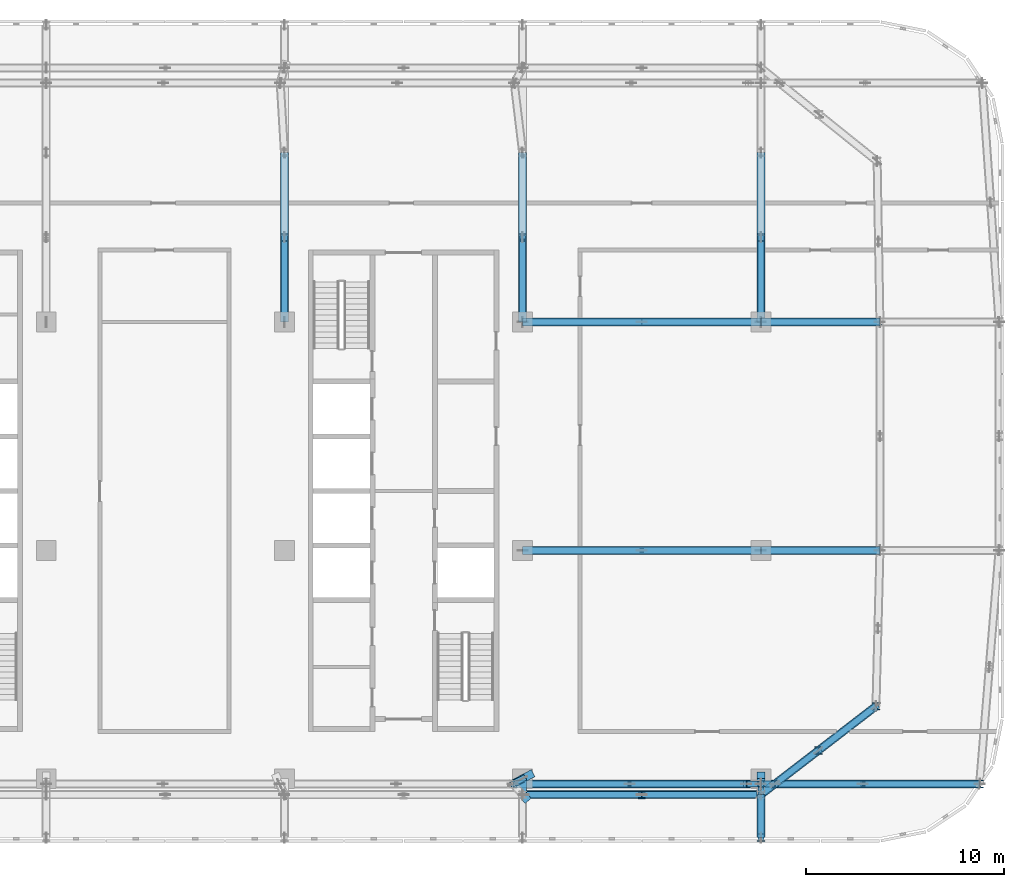
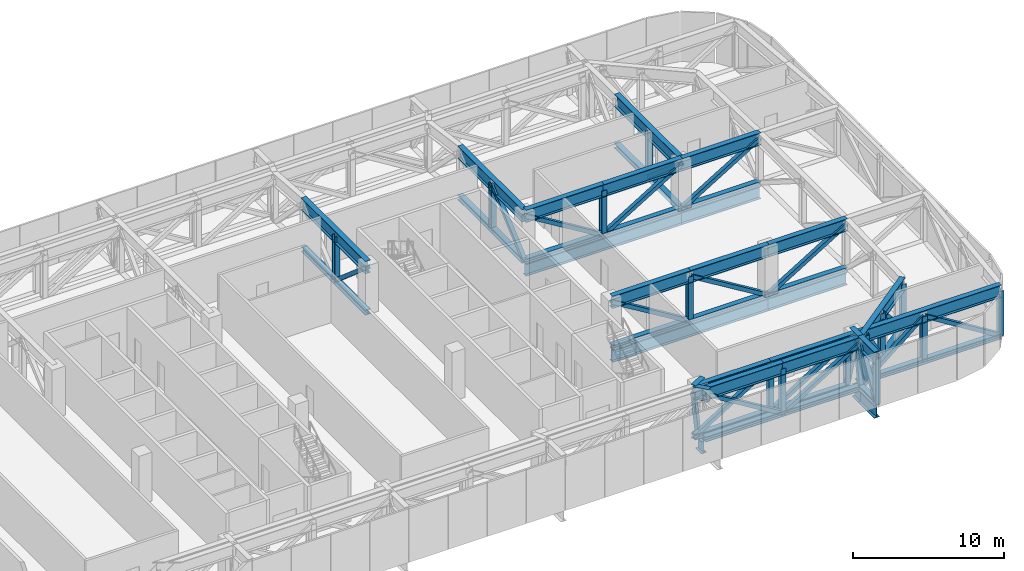
# One storey, part 9 of 29: 69 members, 7 beams.
"""IFC4 building model written with IfcOpenShell, lengths in metres."""

from ifc_helpers import new_model, si_unit, direction, frame, origin, origin_2d, place, context, subcontext, project, spatial, hollow_rectangle, i_section, extrude, material, material_profile, profile_set, type_object, element, save


model = new_model("IFC4")

# Units and contexts
model_context = context("Model", 3, precision=1e-05, world=origin(), true_north=direction((0.0, 1.0)))
body_context = subcontext(model_context, "Body", "Model", "MODEL_VIEW")
ifc_project = project(units=[si_unit("LENGTHUNIT", "METRE"), si_unit("AREAUNIT", "SQUARE_METRE"), si_unit("VOLUMEUNIT", "CUBIC_METRE"), si_unit("PLANEANGLEUNIT", "RADIAN"), si_unit("MASSUNIT", "GRAM", prefix="KILO")], contexts=[model_context])

# Site, building, storey
site_placement = place(None, origin())
site = spatial("IfcSite", under=ifc_project, at=site_placement, CompositionType="ELEMENT")
building_placement = place(site_placement, origin())
building = spatial("IfcBuilding", under=site, at=building_placement, Name="Mahtab Terrace Research Tower", CompositionType="ELEMENT")
storey_placement = place(building_placement, frame((0.0, 0.0, 259.0)))
storey = spatial("IfcBuildingStorey", under=building, at=storey_placement, Name="L63", CompositionType="ELEMENT", Elevation=259.0)

# Members
ifc_material_1 = material(Name="Steel ASTM A500 Gr C", Category="steel")
ifc_material_profile_1 = material_profile(ifc_material_1, hollow_rectangle(XDim=0.3046875, YDim=0.3046875, WallThickness=0.0126953125, at=origin_2d()), Name="HSS12X12X1/2")
ifc_profile_set_1 = profile_set([ifc_material_profile_1], Name="Steel ASTM A500 Gr C")
member_type_1 = type_object("IfcMemberType", Name="HSS 12x12x1/2 brace TD121212", PredefinedType="BRACE", material=ifc_profile_set_1)
member_1_placement = place(storey_placement, frame((18.0, 15.76904296875, -0.19677734375), z_axis=(0.0, -0.759492630748, 0.650515905908), x_axis=(1.0, 0.0, 0.0)))
element("IfcMember", 1, at=member_1_placement, inside=storey, type_object=member_type_1, Name="Transfer truss T7 diagonal 096", PredefinedType="BRACE", context=body_context, shape_type="SweptSolid", body=[
    extrude(hollow_rectangle(XDim=0.3046875, YDim=0.3046875, WallThickness=0.0126953125, at=origin_2d()), origin(), (0.0, 0.0, 1.0), 5.620849609375),
])
member_2_placement = place(storey_placement, frame((36.0, -12.306884765625, -0.19677734375), z_axis=(-0.853925355754, 0.0, 0.520395509974), x_axis=(0.0, -1.0, 0.0)))
element("IfcMember", 2, at=member_2_placement, inside=storey, type_object=member_type_1, Name="Transfer truss T7 diagonal 108", PredefinedType="BRACE", context=body_context, shape_type="SweptSolid", body=[
    extrude(hollow_rectangle(XDim=0.3046875, YDim=0.3046875, WallThickness=0.0126953125, at=origin_2d()), origin(), (0.0, 0.0, 1.0), 7.0263671875),
])
member_3_placement = place(storey_placement, frame((30.0, -11.5, -0.19677734375), z_axis=(-0.132494492799, -0.06977911255, 0.988724473668), x_axis=(0.465982622152, -0.884793871957, 0.0)))
element("IfcMember", 3, at=member_3_placement, inside=storey, type_object=member_type_1, Name="Transfer truss T7 diagonal 110", PredefinedType="BRACE", context=body_context, shape_type="SweptSolid", body=[
    extrude(hollow_rectangle(XDim=0.3046875, YDim=0.3046875, WallThickness=0.0126953125, at=origin_2d()), origin(), (0.0, 0.0, 1.0), 3.6982421875),
])
member_4_placement = place(storey_placement, frame((29.510009765625, -11.758056640625, -0.19677734375), z_axis=(0.849113901535, 0.0, 0.528209789969), x_axis=(0.0, 1.0, 0.0)))
element("IfcMember", 4, at=member_4_placement, inside=storey, type_object=member_type_1, Name="Transfer truss T7 diagonal 111", PredefinedType="BRACE", context=body_context, shape_type="SweptSolid", body=[
    extrude(hollow_rectangle(XDim=0.3046875, YDim=0.3046875, WallThickness=0.0126953125, at=origin_2d()), origin(), (0.0, 0.0, 1.0), 6.92236328125),
])
member_5_placement = place(storey_placement, frame((36.0, 0.0, -0.19677734375), z_axis=(-0.853925355754, 0.0, 0.520395509974), x_axis=(0.0, -1.0, 0.0)))
element("IfcMember", 5, at=member_5_placement, inside=storey, type_object=member_type_1, Name="Transfer truss T7 diagonal 112", PredefinedType="BRACE", context=body_context, shape_type="SweptSolid", body=[
    extrude(hollow_rectangle(XDim=0.3046875, YDim=0.3046875, WallThickness=0.0126953125, at=origin_2d()), origin(), (0.0, 0.0, 1.0), 7.0263671875),
])
member_6_placement = place(storey_placement, frame((30.0, 11.5, -0.19677734375), z_axis=(0.0, 0.759492630748, 0.650515905908), x_axis=(-1.0, 0.0, 0.0)))
element("IfcMember", 6, at=member_6_placement, inside=storey, type_object=member_type_1, Name="Transfer truss T7 diagonal 113", PredefinedType="BRACE", context=body_context, shape_type="SweptSolid", body=[
    extrude(hollow_rectangle(XDim=0.3046875, YDim=0.3046875, WallThickness=0.0126953125, at=origin_2d()), origin(), (0.0, 0.0, 1.0), 5.620849609375),
])
member_7_placement = place(storey_placement, frame((36.0, 11.5, -0.19677734375), z_axis=(-0.853925355754, 0.0, 0.520395509974), x_axis=(0.0, -1.0, 0.0)))
element("IfcMember", 7, at=member_7_placement, inside=storey, type_object=member_type_1, Name="Transfer truss T7 diagonal 114", PredefinedType="BRACE", context=body_context, shape_type="SweptSolid", body=[
    extrude(hollow_rectangle(XDim=0.3046875, YDim=0.3046875, WallThickness=0.0126953125, at=origin_2d()), origin(), (0.0, 0.0, 1.0), 7.0263671875),
])
member_8_placement = place(storey_placement, frame((35.387939453125, -11.758056640625, -0.19677734375), z_axis=(0.84912374108, 0.0, 0.528193972262), x_axis=(0.0, 1.0, 0.0)))
element("IfcMember", 8, at=member_8_placement, inside=storey, type_object=member_type_1, Name="Transfer truss T7 diagonal 121", PredefinedType="BRACE", context=body_context, shape_type="SweptSolid", body=[
    extrude(hollow_rectangle(XDim=0.3046875, YDim=0.3046875, WallThickness=0.0126953125, at=origin_2d()), origin(), (0.0, 0.0, 1.0), 6.922607421875),
])
for number, where, z_axis, x_axis, name in (
    (9, (36.0, -12.306884765625, -0.19677734375), (0.853925355754, 0.0, 0.520395509974), (0.0, 1.0, 0.0), "Transfer truss T7 diagonal 123"),
    (10, (42.0, 0.0, -0.19677734375), (-0.853925355754, 0.0, 0.520395509974), (0.0, -1.0, 0.0), "Transfer truss T7 diagonal 124"),
    (11, (36.0, 11.5, -0.19677734375), (0.853925355754, 0.0, 0.520395509974), (0.0, 1.0, 0.0), "Transfer truss T7 diagonal 125"),
):
    element("IfcMember", number, at=place(storey_placement, frame(where, z_axis=z_axis, x_axis=x_axis)), inside=storey, type_object=member_type_1, Name=name, PredefinedType="BRACE", context=body_context, shape_type="SweptSolid", body=[
        extrude(hollow_rectangle(XDim=0.3046875, YDim=0.3046875, WallThickness=0.0126953125, at=origin_2d()), origin(), (0.0, 0.0, 1.0), 7.0263671875),
    ])
member_9_placement = place(storey_placement, frame((41.26611328125, -11.758056640625, -0.19677734375), z_axis=(0.196783313984, 0.0, 0.980447003839), x_axis=(0.0, 1.0, 0.0)))
element("IfcMember", 12, at=member_9_placement, inside=storey, type_object=member_type_1, Name="Transfer truss T7 diagonal 127", PredefinedType="BRACE", context=body_context, shape_type="SweptSolid", body=[
    extrude(hollow_rectangle(XDim=0.3046875, YDim=0.3046875, WallThickness=0.0126953125, at=origin_2d()), origin(), (0.0, 0.0, 1.0), 3.7294921875),
])
member_10_placement = place(storey_placement, frame((42.0, -14.472900390625, -0.19677734375), z_axis=(0.0, 0.50966381265, 0.860373638645), x_axis=(-1.0, 0.0, 0.0)))
element("IfcMember", 13, at=member_10_placement, inside=storey, type_object=member_type_1, Name="Transfer truss T7 diagonal 129", PredefinedType="BRACE", context=body_context, shape_type="SweptSolid", body=[
    extrude(hollow_rectangle(XDim=0.3046875, YDim=0.3046875, WallThickness=0.0126953125, at=origin_2d()), origin(), (0.0, 0.0, 1.0), 4.25),
])
member_11_placement = place(storey_placement, frame((42.714111328125, -11.758056640625, -0.19677734375), z_axis=(-0.189631598946, -0.145740798096, 0.970978617917), x_axis=(0.60937010094, -0.792885918705, 0.0)))
element("IfcMember", 14, at=member_11_placement, inside=storey, type_object=member_type_1, Name="Transfer truss T7 diagonal 130", PredefinedType="BRACE", context=body_context, shape_type="SweptSolid", body=[
    extrude(hollow_rectangle(XDim=0.3046875, YDim=0.3046875, WallThickness=0.0126953125, at=origin_2d()), origin(), (0.0, 0.0, 1.0), 3.765869140625),
])
member_12_placement = place(storey_placement, frame((42.0, -12.306884765625, -0.19677734375), z_axis=(0.0, 0.148434088087, 0.988922303062), x_axis=(-1.0, 0.0, 0.0)))
element("IfcMember", 15, at=member_12_placement, inside=storey, type_object=member_type_1, Name="Transfer truss T7 diagonal 131", PredefinedType="BRACE", context=body_context, shape_type="SweptSolid", body=[
    extrude(hollow_rectangle(XDim=0.3046875, YDim=0.3046875, WallThickness=0.0126953125, at=origin_2d()), origin(), (0.0, 0.0, 1.0), 3.697509765625),
])
member_13_placement = place(storey_placement, frame((42.714111328125, -11.758056640625, -0.19677734375), z_axis=(-0.191678183584, 0.0, 0.981457830952), x_axis=(0.0, -1.0, 0.0)))
element("IfcMember", 16, at=member_13_placement, inside=storey, type_object=member_type_1, Name="Transfer truss T7 diagonal 132", PredefinedType="BRACE", context=body_context, shape_type="SweptSolid", body=[
    extrude(hollow_rectangle(XDim=0.3046875, YDim=0.3046875, WallThickness=0.0126953125, at=origin_2d()), origin(), (0.0, 0.0, 1.0), 3.7255859375),
])
member_14_placement = place(storey_placement, frame((42.0, 0.0, -0.19677734375), z_axis=(0.853925355754, 0.0, 0.520395509974), x_axis=(0.0, 1.0, 0.0)))
element("IfcMember", 17, at=member_14_placement, inside=storey, type_object=member_type_1, Name="Transfer truss T7 diagonal 133", PredefinedType="BRACE", context=body_context, shape_type="SweptSolid", body=[
    extrude(hollow_rectangle(XDim=0.3046875, YDim=0.3046875, WallThickness=0.0126953125, at=origin_2d()), origin(), (0.0, 0.0, 1.0), 7.0263671875),
])
member_15_placement = place(storey_placement, frame((42.0, 15.76904296875, -0.19677734375), z_axis=(0.0, -0.759492630748, 0.650515905908), x_axis=(1.0, 0.0, 0.0)))
element("IfcMember", 18, at=member_15_placement, inside=storey, type_object=member_type_1, Name="Transfer truss T7 diagonal 134", PredefinedType="BRACE", context=body_context, shape_type="SweptSolid", body=[
    extrude(hollow_rectangle(XDim=0.3046875, YDim=0.3046875, WallThickness=0.0126953125, at=origin_2d()), origin(), (0.0, 0.0, 1.0), 5.620849609375),
])
member_16_placement = place(storey_placement, frame((42.0, 11.5, -0.19677734375), z_axis=(0.853925355754, 0.0, 0.520395509974), x_axis=(0.0, 1.0, 0.0)))
element("IfcMember", 19, at=member_16_placement, inside=storey, type_object=member_type_1, Name="Transfer truss T7 diagonal 135", PredefinedType="BRACE", context=body_context, shape_type="SweptSolid", body=[
    extrude(hollow_rectangle(XDim=0.3046875, YDim=0.3046875, WallThickness=0.0126953125, at=origin_2d()), origin(), (0.0, 0.0, 1.0), 7.0263671875),
])
member_17_placement = place(storey_placement, frame((44.89892578125, -10.077880859375, -0.19677734375), z_axis=(-0.477147991878, -0.366938482524, 0.798552405225), x_axis=(0.609608016023, -0.792703012988, 0.0)))
element("IfcMember", 20, at=member_17_placement, inside=storey, type_object=member_type_1, Name="Transfer truss T7 diagonal 142", PredefinedType="BRACE", context=body_context, shape_type="SweptSolid", body=[
    extrude(hollow_rectangle(XDim=0.3046875, YDim=0.3046875, WallThickness=0.0126953125, at=origin_2d()), origin(), (0.0, 0.0, 1.0), 4.578857421875),
])
member_18_placement = place(storey_placement, frame((42.714111328125, -11.758056640625, -0.19677734375), z_axis=(0.771150475536, 0.0, 0.636652922777), x_axis=(0.0, 1.0, 0.0)))
element("IfcMember", 21, at=member_18_placement, inside=storey, type_object=member_type_1, Name="Transfer truss T7 diagonal 143", PredefinedType="BRACE", context=body_context, shape_type="SweptSolid", body=[
    extrude(hollow_rectangle(XDim=0.3046875, YDim=0.3046875, WallThickness=0.0126953125, at=origin_2d()), origin(), (0.0, 0.0, 1.0), 5.743408203125),
])
member_19_placement = place(storey_placement, frame((47.798095703125, -7.847900390625, -0.19677734375), z_axis=(-0.560568165841, -0.43117723173, 0.707000372194), x_axis=(0.609684954239, -0.792643839675, 0.0)))
element("IfcMember", 22, at=member_19_placement, inside=storey, type_object=member_type_1, Name="Transfer truss T7 diagonal 146", PredefinedType="BRACE", context=body_context, shape_type="SweptSolid", body=[
    extrude(hollow_rectangle(XDim=0.3046875, YDim=0.3046875, WallThickness=0.0126953125, at=origin_2d()), origin(), (0.0, 0.0, 1.0), 5.171875),
])
member_20_placement = place(storey_placement, frame((53.02099609375, -11.758056640625, -0.19677734375), z_axis=(-0.849113901535, 0.0, 0.528209789969), x_axis=(0.0, -1.0, 0.0)))
element("IfcMember", 23, at=member_20_placement, inside=storey, type_object=member_type_1, Name="Transfer truss T7 diagonal 148", PredefinedType="BRACE", context=body_context, shape_type="SweptSolid", body=[
    extrude(hollow_rectangle(XDim=0.3046875, YDim=0.3046875, WallThickness=0.0126953125, at=origin_2d()), origin(), (0.0, 0.0, 1.0), 6.92236328125),
])
ifc_material_2 = material(Name="Steel ASTM A992 Gr 50", Category="steel")
ifc_material_profile_2 = material_profile(ifc_material_2, i_section(OverallWidth=0.373291015625, OverallDepth=0.373291015625, WebThickness=0.016357421875, FlangeThickness=0.026123046875, at=origin_2d()), Name="W14X132")
ifc_profile_set_2 = profile_set([ifc_material_profile_2], Name="Steel ASTM A992 Gr 50")
member_type_2 = type_object("IfcMemberType", Name="W14x132 post TP14132", PredefinedType="POST", material=ifc_profile_set_2)
for number, where, z_axis, x_axis, name in (
    (24, (18.0, 15.77001953125, -0.19677734375), (0.0, 0.0, 1.0), (1.0, 0.0, 0.0), "Transfer truss T7 post 087"),
    (25, (30.0, 15.77001953125, -0.19677734375), (0.0, 0.0, 1.0), (1.0, 0.0, 0.0), "Transfer truss T7 post 102"),
    (26, (35.389892578125, -11.760009765625, -0.19677734375), (0.0, 0.0, 1.0), (1.0, 0.0, 0.0), "Transfer truss T7 post 106"),
    (27, (36.0, -12.31005859375, -0.19677734375), (0.0, 0.0, 1.0), (1.0, 0.0, 0.0), "Transfer truss T7 post 108"),
    (28, (36.0, 0.0, -0.19677734375), (0.0, 0.0, 1.0), (1.0, 0.0, 0.0), "Transfer truss T7 post 109"),
    (29, (36.0, 11.5, -0.19677734375), (0.0, 0.0, 1.0), (1.0, 0.0, 0.0), "Transfer truss T7 post 110"),
    (30, (41.27001953125, -11.760009765625, -0.19677734375), (0.0, 0.0, 1.0), (1.0, 0.0, 0.0), "Transfer truss T7 post 112"),
    (31, (42.0, -14.469970703125, -0.19677734375), (0.0, 0.0, 1.0), (1.0, 0.0, 0.0), "Transfer truss T7 post 114"),
    (32, (42.0, 15.77001953125, -0.19677734375), (0.0, 0.0, 1.0), (1.0, 0.0, 0.0), "Transfer truss T7 post 119"),
    (33, (42.7099609375, -11.760009765625, -0.19677734375), (0.0, 0.0, 1.0), (1.0, 0.0, 0.0), "Transfer truss T7 post 124"),
    (34, (44.89990234375, -10.080078125, -0.19677734375), (0.0, 0.0, 1.0), (1.0, 0.0, 0.0), "Transfer truss T7 post 126"),
    (35, (47.139892578125, -11.760009765625, -0.19677734375), (0.0, 0.0, 1.0), (1.0, 0.0, 0.0), "Transfer truss T7 post 128"),
    (36, (47.800048828125, -7.85009765625, -0.19677734375), (0.0, 0.0, 1.0), (1.0, 0.0, 0.0), "Transfer truss T7 post 130"),
    (37, (53.02001953125, -11.760009765625, -0.19677734375), (0.0, 0.0, 1.0), (1.0, 0.0, 0.0), "Transfer truss T7 post 137"),
):
    element("IfcMember", number, at=place(storey_placement, frame(where, z_axis=z_axis, x_axis=x_axis)), inside=storey, type_object=member_type_2, Name=name, PredefinedType="POST", context=body_context, shape_type="SweptSolid", body=[
        extrude(i_section(OverallWidth=0.373291015625, OverallDepth=0.373291015625, WebThickness=0.016357421875, FlangeThickness=0.026123046875, at=origin_2d()), origin(), (0.0, 0.0, 1.0), 3.656494140625),
    ])
ifc_material_profile_3 = material_profile(ifc_material_2, i_section(OverallWidth=0.40380859375, OverallDepth=0.406494140625, WebThickness=0.027099609375, FlangeThickness=0.043701171875, at=origin_2d()), Name="W14X233")
ifc_profile_set_3 = profile_set([ifc_material_profile_3], Name="Steel ASTM A992 Gr 50")
member_type_3 = type_object("IfcMemberType", Name="W14x233 chord TC14233", PredefinedType="CHORD", material=ifc_profile_set_3)
member_21_placement = place(storey_placement, frame((30.0, -12.306884765625, -0.19677734375), z_axis=(1.0, 0.0, 0.0), x_axis=(0.0, 1.0, 0.0)))
element("IfcMember", 38, at=member_21_placement, inside=storey, type_object=member_type_3, Name="Transfer truss T7 bottom chord 024", PredefinedType="CHORD", context=body_context, shape_type="SweptSolid", body=[
    extrude(i_section(OverallWidth=0.40380859375, OverallDepth=0.406494140625, WebThickness=0.027099609375, FlangeThickness=0.043701171875, at=origin_2d()), origin(), (0.0, 0.0, 1.0), 12.0),
])
member_22_placement = place(storey_placement, frame((29.510009765625, -11.758056640625, -0.19677734375), z_axis=(1.0, 0.0, 0.0), x_axis=(0.0, 1.0, 0.0)))
element("IfcMember", 39, at=member_22_placement, inside=storey, type_object=member_type_3, Name="Transfer truss T7 bottom chord 041", PredefinedType="CHORD", context=body_context, shape_type="SweptSolid", body=[
    extrude(i_section(OverallWidth=0.40380859375, OverallDepth=0.406494140625, WebThickness=0.027099609375, FlangeThickness=0.043701171875, at=origin_2d()), origin(), (0.0, 0.0, 1.0), 11.756103515625),
])
member_23_placement = place(storey_placement, frame((42.0, -11.758056640625, -0.19677734375), z_axis=(1.0, 0.0, 0.0), x_axis=(0.0, 1.0, 0.0)))
element("IfcMember", 40, at=member_23_placement, inside=storey, type_object=member_type_3, Name="Transfer truss T7 bottom chord 043", PredefinedType="CHORD", context=body_context, shape_type="SweptSolid", body=[
    extrude(i_section(OverallWidth=0.40380859375, OverallDepth=0.406494140625, WebThickness=0.027099609375, FlangeThickness=0.043701171875, at=origin_2d()), origin(), (0.0, 0.0, 1.0), 11.02099609375),
])
member_24_placement = place(storey_placement, frame((18.0, 11.5, -0.19677734375), z_axis=(0.0, 1.0, 0.0), x_axis=(-1.0, 0.0, 0.0)))
element("IfcMember", 41, at=member_24_placement, inside=storey, type_object=member_type_3, Name="Transfer truss T7 bottom chord 068", PredefinedType="CHORD", context=body_context, shape_type="SweptSolid", body=[
    extrude(i_section(OverallWidth=0.40380859375, OverallDepth=0.406494140625, WebThickness=0.027099609375, FlangeThickness=0.043701171875, at=origin_2d()), origin(), (0.0, 0.0, 1.0), 8.5380859375),
])
member_25_placement = place(storey_placement, frame((29.510009765625, -11.758056640625, -0.19677734375), z_axis=(0.884793871957, 0.465982622152, 0.0), x_axis=(-0.465982622152, 0.884793871957, 0.0)))
element("IfcMember", 42, at=member_25_placement, inside=storey, type_object=member_type_3, Name="Transfer truss T7 bottom chord 071", PredefinedType="CHORD", context=body_context, shape_type="SweptSolid", body=[
    extrude(i_section(OverallWidth=0.40380859375, OverallDepth=0.406494140625, WebThickness=0.027099609375, FlangeThickness=0.043701171875, at=origin_2d()), origin(), (0.0, 0.0, 1.0), 0.5537109375),
])
member_26_placement = place(storey_placement, frame((30.0, 0.0, -0.19677734375), z_axis=(1.0, 0.0, 0.0), x_axis=(0.0, 1.0, 0.0)))
element("IfcMember", 43, at=member_26_placement, inside=storey, type_object=member_type_3, Name="Transfer truss T7 bottom chord 075", PredefinedType="CHORD", context=body_context, shape_type="SweptSolid", body=[
    extrude(i_section(OverallWidth=0.40380859375, OverallDepth=0.406494140625, WebThickness=0.027099609375, FlangeThickness=0.043701171875, at=origin_2d()), origin(), (0.0, 0.0, 1.0), 12.0),
])
member_27_placement = place(storey_placement, frame((42.0, 0.0, -0.19677734375), z_axis=(1.0, 0.0, 0.0), x_axis=(0.0, 1.0, 0.0)))
element("IfcMember", 44, at=member_27_placement, inside=storey, type_object=member_type_3, Name="Transfer truss T7 bottom chord 076", PredefinedType="CHORD", context=body_context, shape_type="SweptSolid", body=[
    extrude(i_section(OverallWidth=0.40380859375, OverallDepth=0.406494140625, WebThickness=0.027099609375, FlangeThickness=0.043701171875, at=origin_2d()), origin(), (0.0, 0.0, 1.0), 6.0),
])
member_28_placement = place(storey_placement, frame((30.0, 11.5, -0.19677734375), z_axis=(0.0, 1.0, 0.0), x_axis=(-1.0, 0.0, 0.0)))
element("IfcMember", 45, at=member_28_placement, inside=storey, type_object=member_type_3, Name="Transfer truss T7 bottom chord 078", PredefinedType="CHORD", context=body_context, shape_type="SweptSolid", body=[
    extrude(i_section(OverallWidth=0.40380859375, OverallDepth=0.406494140625, WebThickness=0.027099609375, FlangeThickness=0.043701171875, at=origin_2d()), origin(), (0.0, 0.0, 1.0), 8.5380859375),
])
member_29_placement = place(storey_placement, frame((30.0, 11.5, -0.19677734375), z_axis=(1.0, 0.0, 0.0), x_axis=(0.0, 1.0, 0.0)))
element("IfcMember", 46, at=member_29_placement, inside=storey, type_object=member_type_3, Name="Transfer truss T7 bottom chord 079", PredefinedType="CHORD", context=body_context, shape_type="SweptSolid", body=[
    extrude(i_section(OverallWidth=0.40380859375, OverallDepth=0.406494140625, WebThickness=0.027099609375, FlangeThickness=0.043701171875, at=origin_2d()), origin(), (0.0, 0.0, 1.0), 12.0),
])
member_30_placement = place(storey_placement, frame((42.0, 11.5, -0.19677734375), z_axis=(1.0, 0.0, 0.0), x_axis=(0.0, 1.0, 0.0)))
element("IfcMember", 47, at=member_30_placement, inside=storey, type_object=member_type_3, Name="Transfer truss T7 bottom chord 080", PredefinedType="CHORD", context=body_context, shape_type="SweptSolid", body=[
    extrude(i_section(OverallWidth=0.40380859375, OverallDepth=0.406494140625, WebThickness=0.027099609375, FlangeThickness=0.043701171875, at=origin_2d()), origin(), (0.0, 0.0, 1.0), 6.0),
])
member_31_placement = place(storey_placement, frame((42.0, -14.472900390625, -0.19677734375), z_axis=(0.0, 1.0, 0.0), x_axis=(-1.0, 0.0, 0.0)))
element("IfcMember", 48, at=member_31_placement, inside=storey, type_object=member_type_3, Name="Transfer truss T7 bottom chord 083", PredefinedType="CHORD", context=body_context, shape_type="SweptSolid", body=[
    extrude(i_section(OverallWidth=0.40380859375, OverallDepth=0.406494140625, WebThickness=0.027099609375, FlangeThickness=0.043701171875, at=origin_2d()), origin(), (0.0, 0.0, 1.0), 2.166015625),
])
member_32_placement = place(storey_placement, frame((42.0, -12.306884765625, -0.19677734375), z_axis=(0.792695951184, 0.609617198721, 0.0), x_axis=(-0.609617198721, 0.792695951184, 0.0)))
element("IfcMember", 49, at=member_32_placement, inside=storey, type_object=member_type_3, Name="Transfer truss T7 bottom chord 085", PredefinedType="CHORD", context=body_context, shape_type="SweptSolid", body=[
    extrude(i_section(OverallWidth=0.40380859375, OverallDepth=0.406494140625, WebThickness=0.027099609375, FlangeThickness=0.043701171875, at=origin_2d()), origin(), (0.0, 0.0, 1.0), 7.314453125),
])
member_33_placement = place(storey_placement, frame((42.0, 11.5, -0.19677734375), z_axis=(0.0, 1.0, 0.0), x_axis=(-1.0, 0.0, 0.0)))
element("IfcMember", 50, at=member_33_placement, inside=storey, type_object=member_type_3, Name="Transfer truss T7 bottom chord 086", PredefinedType="CHORD", context=body_context, shape_type="SweptSolid", body=[
    extrude(i_section(OverallWidth=0.40380859375, OverallDepth=0.406494140625, WebThickness=0.027099609375, FlangeThickness=0.043701171875, at=origin_2d()), origin(), (0.0, 0.0, 1.0), 8.5380859375),
])
ifc_material_profile_4 = material_profile(ifc_material_2, i_section(OverallWidth=0.4013671875, OverallDepth=1.000732421875, WebThickness=0.01904296875, FlangeThickness=0.0361328125, at=origin_2d()), Name="W40X249")
ifc_profile_set_4 = profile_set([ifc_material_profile_4], Name="Steel ASTM A992 Gr 50")
member_type_4 = type_object("IfcMemberType", Name="W40x249 chord TT40249", PredefinedType="CHORD", material=ifc_profile_set_4)
for number, where, z_axis, x_axis, name in (
    (51, (30.0, -12.306884765625, 3.459716796875), (1.0, 0.0, 0.0), (0.0, 1.0, 0.0), "Transfer truss T7 top chord 038"),
    (52, (36.0, -12.306884765625, 3.459716796875), (1.0, 0.0, 0.0), (0.0, 1.0, 0.0), "Transfer truss T7 top chord 039"),
):
    element("IfcMember", number, at=place(storey_placement, frame(where, z_axis=z_axis, x_axis=x_axis)), inside=storey, type_object=member_type_4, Name=name, PredefinedType="CHORD", context=body_context, shape_type="SweptSolid", body=[
        extrude(i_section(OverallWidth=0.4013671875, OverallDepth=1.000732421875, WebThickness=0.01904296875, FlangeThickness=0.0361328125, at=origin_2d()), origin(), (0.0, 0.0, 1.0), 6.0),
    ])
member_34_placement = place(storey_placement, frame((29.510009765625, -11.758056640625, 3.459716796875), z_axis=(1.0, 0.0, 0.0), x_axis=(0.0, 1.0, 0.0)))
element("IfcMember", 53, at=member_34_placement, inside=storey, type_object=member_type_4, Name="Transfer truss T7 top chord 067", PredefinedType="CHORD", context=body_context, shape_type="SweptSolid", body=[
    extrude(i_section(OverallWidth=0.4013671875, OverallDepth=1.000732421875, WebThickness=0.01904296875, FlangeThickness=0.0361328125, at=origin_2d()), origin(), (0.0, 0.0, 1.0), 5.8779296875),
])
member_35_placement = place(storey_placement, frame((35.387939453125, -11.758056640625, 3.459716796875), z_axis=(1.0, 0.0, 0.0), x_axis=(0.0, 1.0, 0.0)))
element("IfcMember", 54, at=member_35_placement, inside=storey, type_object=member_type_4, Name="Transfer truss T7 top chord 068", PredefinedType="CHORD", context=body_context, shape_type="SweptSolid", body=[
    extrude(i_section(OverallWidth=0.4013671875, OverallDepth=1.000732421875, WebThickness=0.01904296875, FlangeThickness=0.0361328125, at=origin_2d()), origin(), (0.0, 0.0, 1.0), 6.612060546875),
])
member_36_placement = place(storey_placement, frame((42.0, -11.758056640625, 3.459716796875), z_axis=(1.0, 0.0, 0.0), x_axis=(0.0, 1.0, 0.0)))
element("IfcMember", 55, at=member_36_placement, inside=storey, type_object=member_type_4, Name="Transfer truss T7 top chord 069", PredefinedType="CHORD", context=body_context, shape_type="SweptSolid", body=[
    extrude(i_section(OverallWidth=0.4013671875, OverallDepth=1.000732421875, WebThickness=0.01904296875, FlangeThickness=0.0361328125, at=origin_2d()), origin(), (0.0, 0.0, 1.0), 11.02099609375),
])
member_37_placement = place(storey_placement, frame((18.0, 11.5, 3.459716796875), z_axis=(0.0, 1.0, 0.0), x_axis=(-1.0, 0.0, 0.0)))
element("IfcMember", 56, at=member_37_placement, inside=storey, type_object=member_type_4, Name="Transfer truss T7 top chord 094", PredefinedType="CHORD", context=body_context, shape_type="SweptSolid", body=[
    extrude(i_section(OverallWidth=0.4013671875, OverallDepth=1.000732421875, WebThickness=0.01904296875, FlangeThickness=0.0361328125, at=origin_2d()), origin(), (0.0, 0.0, 1.0), 8.5380859375),
])
for number, where, z_axis, x_axis, name in (
    (57, (30.2763671875, -12.61669921875, 3.459716796875), (-0.665876646095, 0.746061855469, 0.0), (-0.746061855469, -0.665876646095, 0.0), "Transfer truss T7 top chord 096"),
    (58, (29.510009765625, -11.758056640625, 3.459716796875), (0.884766330032, 0.466034914188, 0.0), (-0.466034914188, 0.884766330032, 0.0), "Transfer truss T7 top chord 097"),
):
    element("IfcMember", number, at=place(storey_placement, frame(where, z_axis=z_axis, x_axis=x_axis)), inside=storey, type_object=member_type_4, Name=name, PredefinedType="CHORD", context=body_context, shape_type="SweptSolid", body=[
        extrude(i_section(OverallWidth=0.4013671875, OverallDepth=1.000732421875, WebThickness=0.01904296875, FlangeThickness=0.0361328125, at=origin_2d()), origin(), (0.0, 0.0, 1.0), 1.15087890625),
    ])
for number, where, z_axis, x_axis, name in (
    (59, (30.0, 0.0, 3.459716796875), (1.0, 0.0, 0.0), (0.0, 1.0, 0.0), "Transfer truss T7 top chord 101"),
    (60, (36.0, 0.0, 3.459716796875), (1.0, 0.0, 0.0), (0.0, 1.0, 0.0), "Transfer truss T7 top chord 102"),
    (61, (42.0, 0.0, 3.459716796875), (1.0, 0.0, 0.0), (0.0, 1.0, 0.0), "Transfer truss T7 top chord 103"),
):
    element("IfcMember", number, at=place(storey_placement, frame(where, z_axis=z_axis, x_axis=x_axis)), inside=storey, type_object=member_type_4, Name=name, PredefinedType="CHORD", context=body_context, shape_type="SweptSolid", body=[
        extrude(i_section(OverallWidth=0.4013671875, OverallDepth=1.000732421875, WebThickness=0.01904296875, FlangeThickness=0.0361328125, at=origin_2d()), origin(), (0.0, 0.0, 1.0), 6.0),
    ])
member_38_placement = place(storey_placement, frame((30.0, 11.5, 3.459716796875), z_axis=(0.0, 1.0, 0.0), x_axis=(-1.0, 0.0, 0.0)))
element("IfcMember", 62, at=member_38_placement, inside=storey, type_object=member_type_4, Name="Transfer truss T7 top chord 105", PredefinedType="CHORD", context=body_context, shape_type="SweptSolid", body=[
    extrude(i_section(OverallWidth=0.4013671875, OverallDepth=1.000732421875, WebThickness=0.01904296875, FlangeThickness=0.0361328125, at=origin_2d()), origin(), (0.0, 0.0, 1.0), 8.5380859375),
])
for number, where, z_axis, x_axis, name in (
    (63, (30.0, 11.5, 3.459716796875), (1.0, 0.0, 0.0), (0.0, 1.0, 0.0), "Transfer truss T7 top chord 106"),
    (64, (36.0, 11.5, 3.459716796875), (1.0, 0.0, 0.0), (0.0, 1.0, 0.0), "Transfer truss T7 top chord 107"),
    (65, (42.0, 11.5, 3.459716796875), (1.0, 0.0, 0.0), (0.0, 1.0, 0.0), "Transfer truss T7 top chord 108"),
):
    element("IfcMember", number, at=place(storey_placement, frame(where, z_axis=z_axis, x_axis=x_axis)), inside=storey, type_object=member_type_4, Name=name, PredefinedType="CHORD", context=body_context, shape_type="SweptSolid", body=[
        extrude(i_section(OverallWidth=0.4013671875, OverallDepth=1.000732421875, WebThickness=0.01904296875, FlangeThickness=0.0361328125, at=origin_2d()), origin(), (0.0, 0.0, 1.0), 6.0),
    ])
member_39_placement = place(storey_placement, frame((42.0, -14.472900390625, 3.459716796875), z_axis=(0.0, 1.0, 0.0), x_axis=(-1.0, 0.0, 0.0)))
element("IfcMember", 66, at=member_39_placement, inside=storey, type_object=member_type_4, Name="Transfer truss T7 top chord 111", PredefinedType="CHORD", context=body_context, shape_type="SweptSolid", body=[
    extrude(i_section(OverallWidth=0.4013671875, OverallDepth=1.000732421875, WebThickness=0.01904296875, FlangeThickness=0.0361328125, at=origin_2d()), origin(), (0.0, 0.0, 1.0), 2.166015625),
])
member_40_placement = place(storey_placement, frame((42.0, -12.306884765625, 3.459716796875), z_axis=(0.0, 1.0, 0.0), x_axis=(-1.0, 0.0, 0.0)))
element("IfcMember", 67, at=member_40_placement, inside=storey, type_object=member_type_4, Name="Transfer truss T7 top chord 112", PredefinedType="CHORD", context=body_context, shape_type="SweptSolid", body=[
    extrude(i_section(OverallWidth=0.4013671875, OverallDepth=1.000732421875, WebThickness=0.01904296875, FlangeThickness=0.0361328125, at=origin_2d()), origin(), (0.0, 0.0, 1.0), 1.15087890625),
])
member_41_placement = place(storey_placement, frame((42.0, -12.306884765625, 3.459716796875), z_axis=(0.792695951184, 0.609617198721, 0.0), x_axis=(-0.609617198721, 0.792695951184, 0.0)))
element("IfcMember", 68, at=member_41_placement, inside=storey, type_object=member_type_4, Name="Transfer truss T7 top chord 113", PredefinedType="CHORD", context=body_context, shape_type="SweptSolid", body=[
    extrude(i_section(OverallWidth=0.4013671875, OverallDepth=1.000732421875, WebThickness=0.01904296875, FlangeThickness=0.0361328125, at=origin_2d()), origin(), (0.0, 0.0, 1.0), 7.314453125),
])
member_42_placement = place(storey_placement, frame((42.0, 11.5, 3.459716796875), z_axis=(0.0, 1.0, 0.0), x_axis=(-1.0, 0.0, 0.0)))
element("IfcMember", 69, at=member_42_placement, inside=storey, type_object=member_type_4, Name="Transfer truss T7 top chord 114", PredefinedType="CHORD", context=body_context, shape_type="SweptSolid", body=[
    extrude(i_section(OverallWidth=0.4013671875, OverallDepth=1.000732421875, WebThickness=0.01904296875, FlangeThickness=0.0361328125, at=origin_2d()), origin(), (0.0, 0.0, 1.0), 8.5380859375),
])

# Beams
ifc_material_profile_5 = material_profile(ifc_material_2, i_section(OverallWidth=0.4013671875, OverallDepth=1.000732421875, WebThickness=0.01904296875, FlangeThickness=0.0361328125, at=origin_2d()), Name="W40X249")
ifc_profile_set_5 = profile_set([ifc_material_profile_5], Name="Steel ASTM A992 Gr 50")
beam_type = type_object("IfcBeamType", Name="W40x249 transfer girder TG40249", PredefinedType="BEAM", material=ifc_profile_set_5)
beam_1_placement = place(storey_placement, frame((30.0, -12.306884765625, -0.8984375), z_axis=(0.0, 1.0, 0.0), x_axis=(-1.0, 0.0, 0.0)))
element("IfcBeam", 70, at=beam_1_placement, inside=storey, type_object=beam_type, Name="Transfer girder T7 30", PredefinedType="BEAM", context=body_context, shape_type="SweptSolid", body=[
    extrude(i_section(OverallWidth=0.4013671875, OverallDepth=1.000732421875, WebThickness=0.01904296875, FlangeThickness=0.0361328125, at=origin_2d()), origin(), (0.0, 0.0, 1.0), 0.806884765625),
])
beam_2_placement = place(storey_placement, frame((42.0, -14.472900390625, -0.8984375), z_axis=(0.0, 1.0, 0.0), x_axis=(-1.0, 0.0, 0.0)))
element("IfcBeam", 71, at=beam_2_placement, inside=storey, type_object=beam_type, Name="Transfer girder T7 31", PredefinedType="BEAM", context=body_context, shape_type="SweptSolid", body=[
    extrude(i_section(OverallWidth=0.4013671875, OverallDepth=1.000732421875, WebThickness=0.01904296875, FlangeThickness=0.0361328125, at=origin_2d()), origin(), (0.0, 0.0, 1.0), 2.166015625),
])
beam_3_placement = place(storey_placement, frame((42.0, -12.306884765625, -0.8984375), z_axis=(0.0, 1.0, 0.0), x_axis=(-1.0, 0.0, 0.0)))
element("IfcBeam", 72, at=beam_3_placement, inside=storey, type_object=beam_type, Name="Transfer girder T7 32", PredefinedType="BEAM", context=body_context, shape_type="SweptSolid", body=[
    extrude(i_section(OverallWidth=0.4013671875, OverallDepth=1.000732421875, WebThickness=0.01904296875, FlangeThickness=0.0361328125, at=origin_2d()), origin(), (0.0, 0.0, 1.0), 0.806884765625),
])
beam_4_placement = place(storey_placement, frame((30.0, 0.0, -0.8984375), z_axis=(1.0, 0.0, 0.0), x_axis=(0.0, 1.0, 0.0)))
element("IfcBeam", 73, at=beam_4_placement, inside=storey, type_object=beam_type, Name="Transfer girder T7 33", PredefinedType="BEAM", context=body_context, shape_type="SweptSolid", body=[
    extrude(i_section(OverallWidth=0.4013671875, OverallDepth=1.000732421875, WebThickness=0.01904296875, FlangeThickness=0.0361328125, at=origin_2d()), origin(), (0.0, 0.0, 1.0), 12.0),
])
beam_5_placement = place(storey_placement, frame((42.0, 0.0, -0.8984375), z_axis=(1.0, 0.0, 0.0), x_axis=(0.0, 1.0, 0.0)))
element("IfcBeam", 74, at=beam_5_placement, inside=storey, type_object=beam_type, Name="Transfer girder T7 34", PredefinedType="BEAM", context=body_context, shape_type="SweptSolid", body=[
    extrude(i_section(OverallWidth=0.4013671875, OverallDepth=1.000732421875, WebThickness=0.01904296875, FlangeThickness=0.0361328125, at=origin_2d()), origin(), (0.0, 0.0, 1.0), 6.0),
])
beam_6_placement = place(storey_placement, frame((30.0, 11.5, -0.8984375), z_axis=(1.0, 0.0, 0.0), x_axis=(0.0, 1.0, 0.0)))
element("IfcBeam", 75, at=beam_6_placement, inside=storey, type_object=beam_type, Name="Transfer girder T7 36", PredefinedType="BEAM", context=body_context, shape_type="SweptSolid", body=[
    extrude(i_section(OverallWidth=0.4013671875, OverallDepth=1.000732421875, WebThickness=0.01904296875, FlangeThickness=0.0361328125, at=origin_2d()), origin(), (0.0, 0.0, 1.0), 12.0),
])
beam_7_placement = place(storey_placement, frame((42.0, 11.5, -0.8984375), z_axis=(1.0, 0.0, 0.0), x_axis=(0.0, 1.0, 0.0)))
element("IfcBeam", 76, at=beam_7_placement, inside=storey, type_object=beam_type, Name="Transfer girder T7 37", PredefinedType="BEAM", context=body_context, shape_type="SweptSolid", body=[
    extrude(i_section(OverallWidth=0.4013671875, OverallDepth=1.000732421875, WebThickness=0.01904296875, FlangeThickness=0.0361328125, at=origin_2d()), origin(), (0.0, 0.0, 1.0), 6.0),
])

save(model, "model.ifc")
